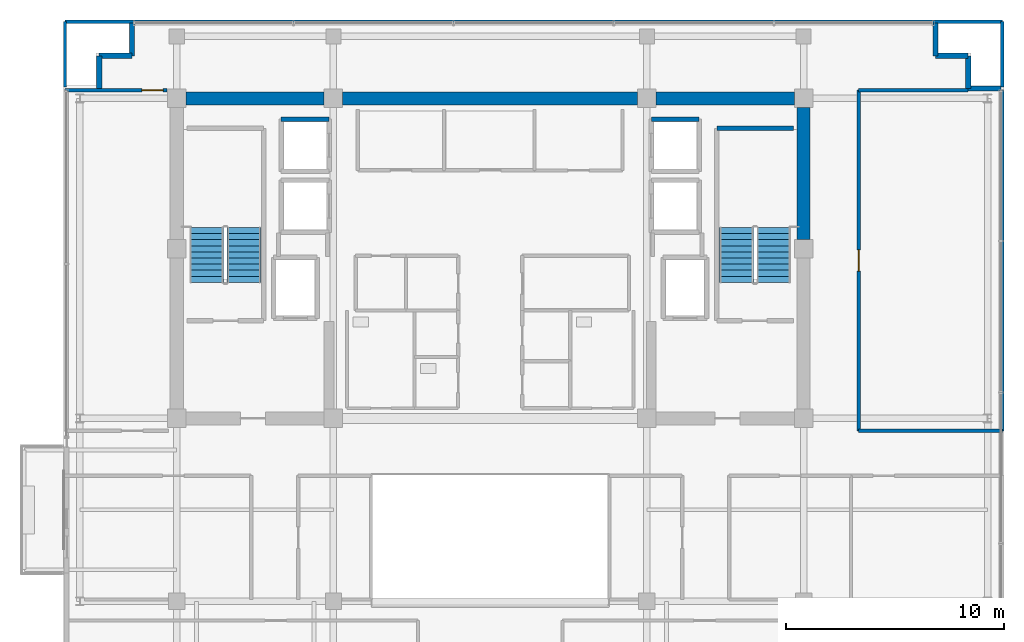
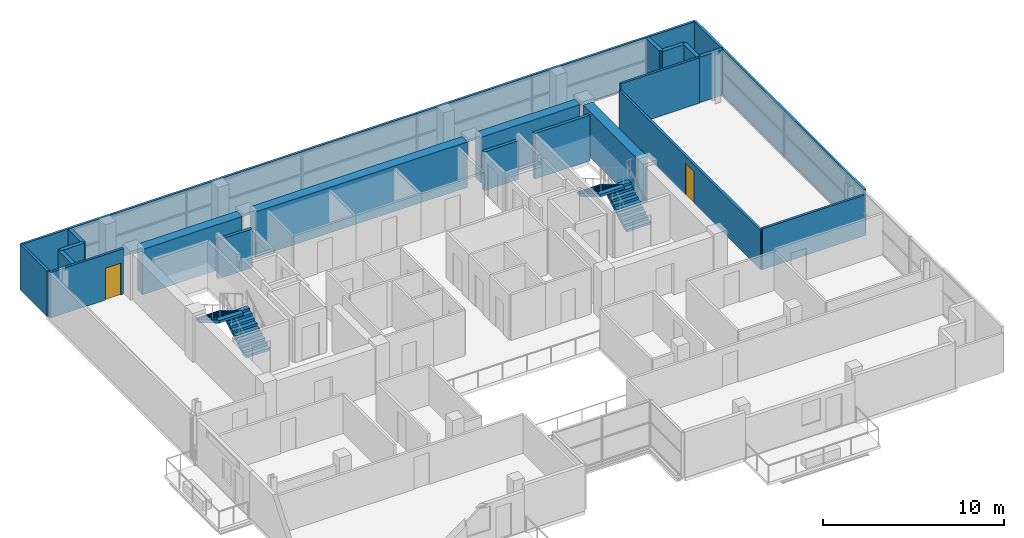
# One storey, part 18 of 21: 22 walls, 4 stair flights, 2 doors, 2 openings, 2 elements without a shape of their own.
"""IFC4 building model written with IfcOpenShell, lengths in metres."""

from ifc_helpers import new_model, si_unit, direction, frame, frame_2d, origin, place, context, subcontext, project, spatial, polyline, rectangle, outline, extrude, source, transform, mapped, material, layer, layer_set, type_object, element, fill, aggregate, save


model = new_model("IFC4")

# Units and contexts
model_context = context("Model", 3, precision=1e-05, world=origin(), true_north=direction((0.0, 1.0)))
body_context = subcontext(model_context, "Body", "Model", "MODEL_VIEW")
ifc_project = project(units=[si_unit("LENGTHUNIT", "METRE"), si_unit("AREAUNIT", "SQUARE_METRE"), si_unit("VOLUMEUNIT", "CUBIC_METRE"), si_unit("PLANEANGLEUNIT", "RADIAN"), si_unit("MASSUNIT", "GRAM", prefix="KILO")], contexts=[model_context])

# Site, building, storey
site_placement = place(None, origin())
site = spatial("IfcSite", under=ifc_project, at=site_placement, CompositionType="ELEMENT")
building_placement = place(site_placement, origin())
building = spatial("IfcBuilding", under=site, at=building_placement, Name="Zarnakvel Exchange Tower", CompositionType="ELEMENT")
storey_placement = place(building_placement, frame((0.0, 0.0, 241.89990234375)))
storey = spatial("IfcBuildingStorey", under=building, at=storey_placement, Name="L68", CompositionType="ELEMENT", Elevation=241.89990234375)

# Walls
ifc_material_1 = material(Name="Concrete C50/60", Category="concrete")
ifc_layer_1 = layer(ifc_material_1, 0.60009765625)
ifc_layer_set_1 = layer_set([ifc_layer_1], Name="Concrete C50/60")
wall_type_1 = type_object("IfcWallType", Name="CW-C5", PredefinedType="SHEAR", material=ifc_layer_set_1)
wall_1_placement = place(storey_placement, frame((-13.97509765625, 13.5, 0.0), z_axis=(0.0, 0.0, 1.0), x_axis=(1.0, 0.0, 0.0)))
element("IfcWall", 1, at=wall_1_placement, inside=storey, type_object=wall_type_1, Name="L68 Rear Core Shear Wall N1 (CW-C5)", PredefinedType="SHEAR", context=body_context, shape_type="SweptSolid", body=[
    extrude(rectangle(XDim=6.35009765625, YDim=0.60009765625, at=frame_2d((3.175048828125, 0.0))), origin(), (0.0, 0.0, 1.0), 3.0751953125),
])
wall_2_placement = place(storey_placement, frame((-6.77490234375, 13.5, 0.0), z_axis=(0.0, 0.0, 1.0), x_axis=(1.0, 0.0, 0.0)))
element("IfcWall", 2, at=wall_2_placement, inside=storey, type_object=wall_type_1, Name="L68 Rear Core Shear Wall N2 (CW-C5)", PredefinedType="SHEAR", context=body_context, shape_type="SweptSolid", body=[
    extrude(rectangle(XDim=13.5498046875, YDim=0.60009765625, at=frame_2d((6.77490234375, 0.0))), origin(), (0.0, 0.0, 1.0), 3.0751953125),
])
wall_3_placement = place(storey_placement, frame((7.625, 13.5, 0.0), z_axis=(0.0, 0.0, 1.0), x_axis=(1.0, 0.0, 0.0)))
element("IfcWall", 3, at=wall_3_placement, inside=storey, type_object=wall_type_1, Name="L68 Rear Core Shear Wall N3 (CW-C5)", PredefinedType="SHEAR", context=body_context, shape_type="SweptSolid", body=[
    extrude(rectangle(XDim=6.35009765625, YDim=0.60009765625, at=frame_2d((3.175048828125, 0.0))), origin(), (0.0, 0.0, 1.0), 3.0751953125),
])
wall_4_placement = place(storey_placement, frame((14.39990234375, 7.02490234375, 0.0), z_axis=(0.0, 0.0, 1.0), x_axis=(0.0, 1.0, 0.0)))
element("IfcWall", 4, at=wall_4_placement, inside=storey, type_object=wall_type_1, Name="L68 Rear Core Shear Wall E2 (CW-C5)", PredefinedType="SHEAR", context=body_context, shape_type="SweptSolid", body=[
    extrude(rectangle(XDim=6.050048828125, YDim=0.60009765625, at=frame_2d((3.02490234375, 0.0))), origin(), (0.0, 0.0, 1.0), 3.0751953125),
])
ifc_material_2 = material(Name="Precast concrete C40/50", Category="concrete")
ifc_layer_2 = layer(ifc_material_2, 0.239990234375)
ifc_layer_set_2 = layer_set([ifc_layer_2], Name="Precast concrete C40/50")
wall_type_2 = type_object("IfcWallType", Name="EW-02", PredefinedType="SOLIDWALL", material=ifc_layer_set_2)
for number, where, z_axis, x_axis, name in (
    (5, (-17.9599609375, 15.4599609375, 0.0), (0.0, 0.0, 1.0), (0.0, -1.0, 0.0), "L68 Exterior Precast Spandrel Wall EWC-L68-04 (EW-02)"),
    (6, (-16.4599609375, 15.4599609375, 0.0), (0.0, 0.0, 1.0), (-1.0, 0.0, 0.0), "L68 Exterior Precast Spandrel Wall EWC-L68-05 (EW-02)"),
    (7, (-16.4599609375, 16.9599609375, 0.0), (0.0, 0.0, 1.0), (0.0, -1.0, 0.0), "L68 Exterior Precast Spandrel Wall EWC-L68-06 (EW-02)"),
    (8, (20.4599609375, 15.4599609375, 0.0), (0.0, 0.0, 1.0), (0.0, 1.0, 0.0), "L68 Exterior Precast Spandrel Wall EWC-L68-07 (EW-02)"),
    (9, (21.9599609375, 15.4599609375, 0.0), (0.0, 0.0, 1.0), (-1.0, 0.0, 0.0), "L68 Exterior Precast Spandrel Wall EWC-L68-08 (EW-02)"),
    (10, (21.9599609375, 13.9599609375, 0.0), (0.0, 0.0, 1.0), (0.0, 1.0, 0.0), "L68 Exterior Precast Spandrel Wall EWC-L68-09 (EW-02)"),
    (11, (23.4599609375, 13.9599609375, 0.0), (0.0, 0.0, 1.0), (-1.0, 0.0, 0.0), "L68 Exterior Precast Spandrel Wall EWC-L68-10 (EW-02)"),
):
    element("IfcWall", number, at=place(storey_placement, frame(where, z_axis=z_axis, x_axis=x_axis)), inside=storey, type_object=wall_type_2, Name=name, PredefinedType="SOLIDWALL", context=body_context, shape_type="SweptSolid", body=[
        extrude(rectangle(XDim=1.5, YDim=0.239990234375, at=frame_2d((0.75, 0.0))), origin(), (0.0, 0.0, 1.0), 3.0751953125),
    ])

# Wall, opening, door
ifc_material_3 = material(Name="Fire-Rated Gypsum Stud Partition", Category="gypsum")
ifc_layer_3 = layer(ifc_material_3, 0.14990234375)
ifc_layer_set_3 = layer_set([ifc_layer_3], Name="Fire-Rated Gypsum Stud Partition")
wall_type_3 = type_object("IfcWallType", Name="PT-01", PredefinedType="PARTITIONING", material=ifc_layer_set_3)
wall_5_placement = place(storey_placement, frame((-19.530029296875, 13.8798828125, 0.0), z_axis=(0.0, 0.0, 1.0), x_axis=(1.0, 0.0, 0.0)))
wall_5 = element("IfcWall", 12, at=wall_5_placement, inside=storey, type_object=wall_type_3, Name="L68 Partition Wall PWALL-L68-072 (PT-01)", PredefinedType="PARTITIONING", context=body_context, shape_type="SweptSolid", body=[
    extrude(rectangle(XDim=4.68505859375, YDim=0.14990234375, at=frame_2d((2.342529296875, 0.0))), origin(), (0.0, 0.0, 1.0), 3.0751953125),
])
opening_1_placement = place(wall_5_placement, frame((3.52490234375, 0.0, 0.0)))
opening_1 = element("IfcOpeningElement", 13, at=opening_1_placement, cuts=wall_5, Name="Opening D-L68-26", PredefinedType="OPENING", context=body_context, shape_type="SweptSolid", body=[
    extrude(rectangle(XDim=0.97998046875, YDim=2.14990234375, at=frame_2d((0.489990234375, 1.074951171875))), frame((0.0, 0.0849609375, 0.0), z_axis=(0.0, -1.0, 0.0), x_axis=(1.0, 0.0, 0.0)), (0.0, 0.0, 1.0), 0.169921875),
])
ifc_material_4 = material(Name="Timber Acoustic Veneer", Category="wood")
door_type = type_object("IfcDoorType", Name="DT-05", OperationType="NOTDEFINED", PredefinedType="DOOR", material=ifc_material_4)
shared_shape = source(origin(), body_context, "Body", "SweptSolid", [
    extrude(rectangle(XDim=0.97998046875, YDim=2.14990234375, at=frame_2d((0.489990234375, 1.074951171875))), frame((0.0, 0.02490234375, 0.0), z_axis=(0.0, -1.0, 0.0), x_axis=(1.0, 0.0, 0.0)), (0.0, 0.0, 1.0), 0.050048828125),
])
door_1_placement = place(opening_1_placement, origin())
door_1 = element("IfcDoor", 14, at=door_1_placement, inside=storey, type_object=door_type, Name="L68 Risk Analytics Suite Door D-L68-26", OperationType="SINGLE_SWING_RIGHT", OverallHeight=2.14990234375, OverallWidth=0.97998046875, PredefinedType="DOOR", context=body_context, shape_type="MappedRepresentation", body=[
    mapped(shared_shape, transform((0.0, 0.0, 0.0), x_axis=(1.0, 0.0, 0.0), y_axis=(0.0, 1.0, 0.0), z_axis=(0.0, 0.0, 1.0), scale=1.0)),
])
fill(opening_1, door_1)

# Walls
wall_6_placement = place(storey_placement, frame((23.530029296875, -1.77001953125, 0.0), z_axis=(0.0, 0.0, 1.0), x_axis=(-1.0, 0.0, 0.0)))
element("IfcWall", 15, at=wall_6_placement, inside=storey, type_object=wall_type_3, Name="L68 Partition Wall PWALL-L68-074 (PT-01)", PredefinedType="PARTITIONING", context=body_context, shape_type="SweptSolid", body=[
    extrude(rectangle(XDim=6.60009765625, YDim=0.14990234375, at=frame_2d((3.300048828125, 0.0))), origin(), (0.0, 0.0, 1.0), 2.76513671875),
])
wall_7_placement = place(storey_placement, frame((16.929931640625, 13.8798828125, 0.0), z_axis=(0.0, 0.0, 1.0), x_axis=(1.0, 0.0, 0.0)))
element("IfcWall", 16, at=wall_7_placement, inside=storey, type_object=wall_type_3, Name="L68 Partition Wall PWALL-L68-075 (PT-01)", PredefinedType="PARTITIONING", context=body_context, shape_type="SweptSolid", body=[
    extrude(rectangle(XDim=5.030029296875, YDim=0.14990234375, at=frame_2d((2.51513671875, 0.0))), origin(), (0.0, 0.0, 1.0), 3.0751953125),
])

# Wall, opening, door
wall_8_placement = place(storey_placement, frame((16.929931640625, -1.77001953125, 0.0), z_axis=(0.0, 0.0, 1.0), x_axis=(0.0, 1.0, 0.0)))
wall_8 = element("IfcWall", 17, at=wall_8_placement, inside=storey, type_object=wall_type_3, Name="L68 Partition Wall PWALL-L68-076 (PT-01)", PredefinedType="PARTITIONING", context=body_context, shape_type="SweptSolid", body=[
    extrude(rectangle(XDim=15.64990234375, YDim=0.14990234375, at=frame_2d((7.824951171875, 0.0))), origin(), (0.0, 0.0, 1.0), 2.614990234375),
])
opening_2_placement = place(wall_8_placement, frame((7.3349609375, 0.0, 0.0)))
opening_2 = element("IfcOpeningElement", 18, at=opening_2_placement, cuts=wall_8, Name="Opening D-L68-25", PredefinedType="OPENING", context=body_context, shape_type="SweptSolid", body=[
    extrude(rectangle(XDim=0.97998046875, YDim=2.14990234375, at=frame_2d((0.489990234375, 1.074951171875))), frame((0.0, 0.0849609375, 0.0), z_axis=(0.0, -1.0, 0.0), x_axis=(1.0, 0.0, 0.0)), (0.0, 0.0, 1.0), 0.169921875),
])
door_2_placement = place(opening_2_placement, origin())
door_2 = element("IfcDoor", 19, at=door_2_placement, inside=storey, type_object=door_type, Name="L68 Staff Pantry Door D-L68-25", OperationType="SINGLE_SWING_LEFT", OverallHeight=2.14990234375, OverallWidth=0.97998046875, PredefinedType="DOOR", context=body_context, shape_type="MappedRepresentation", body=[
    mapped(shared_shape, transform((0.0, 0.0, 0.0), x_axis=(1.0, 0.0, 0.0), y_axis=(0.0, 1.0, 0.0), z_axis=(0.0, 0.0, 1.0), scale=1.0)),
])
fill(opening_2, door_2)

# Walls
wall_9_placement = place(storey_placement, frame((23.530029296875, 13.8798828125, 0.0), z_axis=(0.0, 0.0, 1.0), x_axis=(0.0, -1.0, 0.0)))
element("IfcWall", 20, at=wall_9_placement, inside=storey, type_object=wall_type_3, Name="L68 Partition Wall PWALL-L68-077 (PT-01)", PredefinedType="PARTITIONING", context=body_context, shape_type="SweptSolid", body=[
    extrude(rectangle(XDim=15.64990234375, YDim=0.14990234375, at=frame_2d((7.824951171875, 0.0))), origin(), (0.0, 0.0, 1.0), 3.0751953125),
])
wall_10_placement = place(storey_placement, frame((-19.530029296875, 17.030029296875, 0.0), z_axis=(0.0, 0.0, 1.0), x_axis=(1.0, 0.0, 0.0)))
element("IfcWall", 21, at=wall_10_placement, inside=storey, type_object=wall_type_3, Name="L68 Partition Wall PWALL-L68-078 (PT-01)", PredefinedType="PARTITIONING", context=body_context, shape_type="SweptSolid", body=[
    extrude(rectangle(XDim=43.06005859375, YDim=0.14990234375, at=frame_2d((21.530029296875, 0.0))), origin(), (0.0, 0.0, 1.0), 3.0751953125),
])
for number, where, z_axis, x_axis, name in (
    (22, (-19.530029296875, 14.030029296875, 0.0), (0.0, 0.0, 1.0), (0.0, 1.0, 0.0), "L68 Partition Wall PWALL-L68-079 (PT-01)"),
    (23, (23.530029296875, 17.030029296875, 0.0), (0.0, 0.0, 1.0), (0.0, -1.0, 0.0), "L68 Partition Wall PWALL-L68-080 (PT-01)"),
):
    element("IfcWall", number, at=place(storey_placement, frame(where, z_axis=z_axis, x_axis=x_axis)), inside=storey, type_object=wall_type_3, Name=name, PredefinedType="PARTITIONING", context=body_context, shape_type="SweptSolid", body=[
        extrude(rectangle(XDim=3.0, YDim=0.14990234375, at=frame_2d((1.5, 0.0))), origin(), (0.0, 0.0, 1.0), 3.0751953125),
    ])
ifc_material_5 = material(Name="Concrete C40/50", Category="concrete")
ifc_layer_4 = layer(ifc_material_5, 0.199951171875)
ifc_layer_set_4 = layer_set([ifc_layer_4], Name="Concrete C40/50")
wall_type_4 = type_object("IfcWallType", Name="SW-01", PredefinedType="SOLIDWALL", material=ifc_layer_set_4)
for number, where, z_axis, x_axis, name in (
    (24, (-9.60009765625, 12.550048828125, 0.0), (0.0, 0.0, 1.0), (1.0, 0.0, 0.0), "L68 PL-10 Hoistway Wall North"),
    (25, (7.39990234375, 12.550048828125, 0.0), (0.0, 0.0, 1.0), (1.0, 0.0, 0.0), "L68 PL-12 Hoistway Wall North"),
):
    element("IfcWall", number, at=place(storey_placement, frame(where, z_axis=z_axis, x_axis=x_axis)), inside=storey, type_object=wall_type_4, Name=name, PredefinedType="SOLIDWALL", context=body_context, shape_type="SweptSolid", body=[
        extrude(rectangle(XDim=2.2001953125, YDim=0.199951171875, at=frame_2d((1.10009765625, 0.0))), origin(), (0.0, 0.0, 1.0), 2.614990234375),
    ])
ifc_layer_5 = layer(ifc_material_5, 0.199951171875)
ifc_layer_set_5 = layer_set([ifc_layer_5], Name="Concrete C40/50")
wall_type_5 = type_object("IfcWallType", Name="SW-02", PredefinedType="SOLIDWALL", material=ifc_layer_set_5)
wall_11_placement = place(storey_placement, frame((10.409912109375, 12.1298828125, 0.0), z_axis=(0.0, 0.0, 1.0), x_axis=(1.0, 0.0, 0.0)))
element("IfcWall", 26, at=wall_11_placement, inside=storey, type_object=wall_type_5, Name="L68 Stairwell Core Wall PWALL-L68-005 (SW-02)", PredefinedType="SOLIDWALL", context=body_context, shape_type="SweptSolid", body=[
    extrude(rectangle(XDim=3.52001953125, YDim=0.199951171875, at=frame_2d((1.760009765625, 0.0))), origin(), (0.0, 0.0, 1.0), 3.0751953125),
])

# Stair, stair flights
stair_type = type_object("IfcStairType", Name="STR-01", PredefinedType="HALF_TURN_STAIR", material=ifc_material_5)
stair_1_placement = place(storey_placement, origin())
stair_1 = element("IfcStair", 27, at=stair_1_placement, inside=storey, type_object=stair_type, Name="L68 Protected Core Exit Stair ST-01", PredefinedType="HALF_TURN_STAIR")
stair_flight_type = type_object("IfcStairFlightType", Name="FLT-01", PredefinedType="STRAIGHT", material=ifc_material_5)
stair_flight_1_placement = place(storey_placement, frame((-11.31494140625, 5.050048828125, 0.0), z_axis=(0.0, 0.0, 1.0), x_axis=(0.0, 1.0, 0.0)))
stair_flight_1 = element("IfcStairFlight", 28, at=stair_flight_1_placement, type_object=stair_flight_type, Name="ST-01 flight 1", NumberOfRisers=10, NumberOfTreads=9, PredefinedType="STRAIGHT", RiserHeight=0.165, TreadLength=0.28, context=body_context, shape_type="SweptSolid", body=[
    extrude(outline(polyline([(0.0, 0.0), (0.0, 0.1650390625), (0.280029296875, 0.1650390625), (0.280029296875, 0.330078125), (0.56005859375, 0.330078125), (0.56005859375, 0.4951171875), (0.840087890625, 0.4951171875), (0.840087890625, 0.659912109375), (1.1201171875, 0.659912109375), (1.1201171875, 0.824951171875), (1.39990234375, 0.824951171875), (1.39990234375, 0.989990234375), (1.679931640625, 0.989990234375), (1.679931640625, 1.155029296875), (1.9599609375, 1.155029296875), (1.9599609375, 1.320068359375), (2.239990234375, 1.320068359375), (2.239990234375, 1.485107421875), (2.52001953125, 1.485107421875), (2.52001953125, 1.64990234375), (2.52001953125, 1.31103515625), (0.295166015625, 0.0), (0.0, 0.0)])), frame((0.0, 0.77490234375, 0.0), z_axis=(0.0, -1.0, 0.0), x_axis=(1.0, 0.0, 0.0)), (0.0, 0.0, 1.0), 1.550048828125),
])
stair_flight_2_placement = place(storey_placement, frame((-13.02490234375, 7.570068359375, 1.650146484375), z_axis=(0.0, 0.0, 1.0), x_axis=(0.0, -1.0, 0.0)))
stair_flight_2 = element("IfcStairFlight", 29, at=stair_flight_2_placement, type_object=stair_flight_type, Name="ST-01 flight 2", NumberOfRisers=10, NumberOfTreads=9, PredefinedType="STRAIGHT", RiserHeight=0.165, TreadLength=0.28, context=body_context, shape_type="SweptSolid", body=[
    extrude(outline(polyline([(0.0, 0.0), (0.0, 0.1650390625), (0.280029296875, 0.1650390625), (0.280029296875, 0.330078125), (0.56005859375, 0.330078125), (0.56005859375, 0.4951171875), (0.840087890625, 0.4951171875), (0.840087890625, 0.659912109375), (1.1201171875, 0.659912109375), (1.1201171875, 0.824951171875), (1.39990234375, 0.824951171875), (1.39990234375, 0.989990234375), (1.679931640625, 0.989990234375), (1.679931640625, 1.155029296875), (1.9599609375, 1.155029296875), (1.9599609375, 1.320068359375), (2.239990234375, 1.320068359375), (2.239990234375, 1.485107421875), (2.52001953125, 1.485107421875), (2.52001953125, 1.64990234375), (2.52001953125, 1.31103515625), (0.295166015625, 0.0), (0.0, 0.0)])), frame((0.0, 0.77490234375, 0.0), z_axis=(0.0, -1.0, 0.0), x_axis=(1.0, 0.0, 0.0)), (0.0, 0.0, 1.0), 1.550048828125),
])
aggregate(stair_1, [stair_flight_1, stair_flight_2])

stair_2_placement = place(storey_placement, origin())
stair_2 = element("IfcStair", 30, at=stair_2_placement, inside=storey, type_object=stair_type, Name="L68 Protected Core Exit Stair ST-02", PredefinedType="HALF_TURN_STAIR")
stair_flight_3_placement = place(storey_placement, frame((13.02490234375, 5.050048828125, 0.0), z_axis=(0.0, 0.0, 1.0), x_axis=(0.0, 1.0, 0.0)))
stair_flight_3 = element("IfcStairFlight", 31, at=stair_flight_3_placement, type_object=stair_flight_type, Name="ST-02 flight 1", NumberOfRisers=10, NumberOfTreads=9, PredefinedType="STRAIGHT", RiserHeight=0.165, TreadLength=0.28, context=body_context, shape_type="SweptSolid", body=[
    extrude(outline(polyline([(0.0, 0.0), (0.0, 0.1650390625), (0.280029296875, 0.1650390625), (0.280029296875, 0.330078125), (0.56005859375, 0.330078125), (0.56005859375, 0.4951171875), (0.840087890625, 0.4951171875), (0.840087890625, 0.659912109375), (1.1201171875, 0.659912109375), (1.1201171875, 0.824951171875), (1.39990234375, 0.824951171875), (1.39990234375, 0.989990234375), (1.679931640625, 0.989990234375), (1.679931640625, 1.155029296875), (1.9599609375, 1.155029296875), (1.9599609375, 1.320068359375), (2.239990234375, 1.320068359375), (2.239990234375, 1.485107421875), (2.52001953125, 1.485107421875), (2.52001953125, 1.64990234375), (2.52001953125, 1.31103515625), (0.295166015625, 0.0), (0.0, 0.0)])), frame((0.0, 0.77490234375, 0.0), z_axis=(0.0, -1.0, 0.0), x_axis=(1.0, 0.0, 0.0)), (0.0, 0.0, 1.0), 1.550048828125),
])
stair_flight_4_placement = place(storey_placement, frame((11.31494140625, 7.570068359375, 1.650146484375), z_axis=(0.0, 0.0, 1.0), x_axis=(0.0, -1.0, 0.0)))
stair_flight_4 = element("IfcStairFlight", 32, at=stair_flight_4_placement, type_object=stair_flight_type, Name="ST-02 flight 2", NumberOfRisers=10, NumberOfTreads=9, PredefinedType="STRAIGHT", RiserHeight=0.165, TreadLength=0.28, context=body_context, shape_type="SweptSolid", body=[
    extrude(outline(polyline([(0.0, 0.0), (0.0, 0.1650390625), (0.280029296875, 0.1650390625), (0.280029296875, 0.330078125), (0.56005859375, 0.330078125), (0.56005859375, 0.4951171875), (0.840087890625, 0.4951171875), (0.840087890625, 0.659912109375), (1.1201171875, 0.659912109375), (1.1201171875, 0.824951171875), (1.39990234375, 0.824951171875), (1.39990234375, 0.989990234375), (1.679931640625, 0.989990234375), (1.679931640625, 1.155029296875), (1.9599609375, 1.155029296875), (1.9599609375, 1.320068359375), (2.239990234375, 1.320068359375), (2.239990234375, 1.485107421875), (2.52001953125, 1.485107421875), (2.52001953125, 1.64990234375), (2.52001953125, 1.31103515625), (0.295166015625, 0.0), (0.0, 0.0)])), frame((0.0, 0.77490234375, 0.0), z_axis=(0.0, -1.0, 0.0), x_axis=(1.0, 0.0, 0.0)), (0.0, 0.0, 1.0), 1.550048828125),
])
aggregate(stair_2, [stair_flight_3, stair_flight_4])

save(model, "model.ifc")
